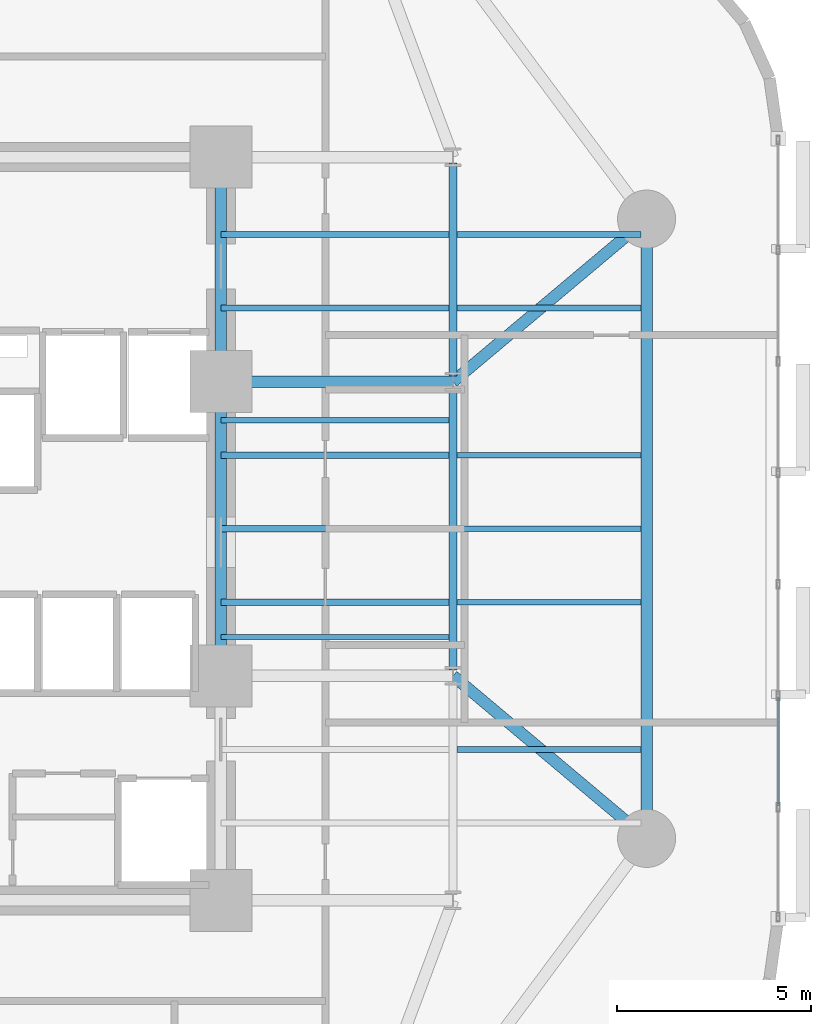
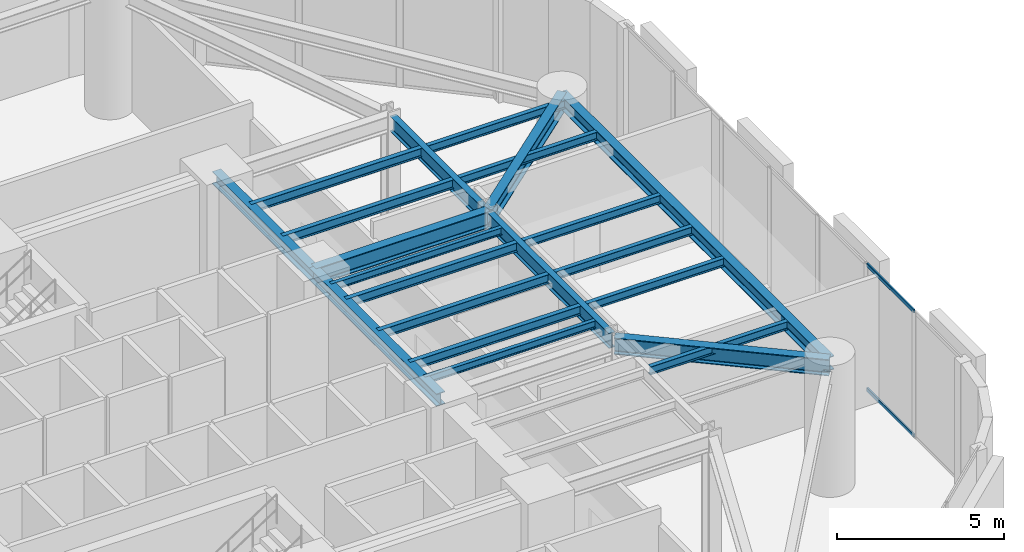
# One storey, part 4 of 13: 21 beams, 2 members, 1 element without a shape of its own.
"""IFC4 building model written with IfcOpenShell, lengths in metres."""

from ifc_helpers import new_model, si_unit, direction, frame, origin, origin_2d, place, context, subcontext, project, spatial, hollow_rectangle, i_section, extrude, material, layer, layer_set, material_profile, profile_set, type_object, element, aggregate, save


model = new_model("IFC4")

# Units and contexts
model_context = context("Model", 3, precision=1e-05, world=origin(), true_north=direction((0.0, 1.0)))
body_context = subcontext(model_context, "Body", "Model", "MODEL_VIEW")
ifc_project = project(units=[si_unit("LENGTHUNIT", "METRE"), si_unit("AREAUNIT", "SQUARE_METRE"), si_unit("VOLUMEUNIT", "CUBIC_METRE"), si_unit("PLANEANGLEUNIT", "RADIAN"), si_unit("MASSUNIT", "GRAM", prefix="KILO")], contexts=[model_context])

# Site, building, storey
site_placement = place(None, origin())
site = spatial("IfcSite", under=ifc_project, at=site_placement, CompositionType="ELEMENT")
building_placement = place(site_placement, origin())
building = spatial("IfcBuilding", under=site, at=building_placement, Name="An Khanh Terracotta Commons", CompositionType="ELEMENT")
storey_placement = place(building_placement, frame((0.0, 0.0, 24.0)))
storey = spatial("IfcBuildingStorey", under=building, at=storey_placement, Name="L06", CompositionType="ELEMENT", Elevation=24.0)

# Beams
ifc_material_1 = material(Name="Steel S355J2", Category="steel")
ifc_material_profile_1 = material_profile(ifc_material_1, i_section(OverallWidth=0.300048828125, OverallDepth=0.449951171875, WebThickness=0.013916015625, FlangeThickness=0.02587890625, FilletRadius=0.027099609375, at=origin_2d()), Name="HEB450")
ifc_profile_set_1 = profile_set([ifc_material_profile_1], Name="Steel S355J2")
beam_type_1 = type_object("IfcBeamType", Name="BM-HEB450", PredefinedType="BEAM", material=ifc_profile_set_1)
beam_1_placement = place(storey_placement, frame((37.199951171875, 20.199951171875, 4.375), z_axis=(0.0, 1.0, 0.0), x_axis=(-1.0, 0.0, 0.0)))
element("IfcBeam", 1, at=beam_1_placement, inside=storey, type_object=beam_type_1, Name="L06 Core East Coupling Girder 2", PredefinedType="BEAM", context=body_context, shape_type="SweptSolid", body=[
    extrude(i_section(OverallWidth=0.300048828125, OverallDepth=0.449951171875, WebThickness=0.013916015625, FlangeThickness=0.02587890625, FilletRadius=0.027099609375, at=origin_2d()), origin(), (0.0, 0.0, 1.0), 7.60009765625),
])
beam_2_placement = place(storey_placement, frame((37.199951171875, 27.800048828125, 4.375), z_axis=(0.0, 1.0, 0.0), x_axis=(-1.0, 0.0, 0.0)))
element("IfcBeam", 2, at=beam_2_placement, inside=storey, type_object=beam_type_1, Name="L06 Core East Coupling Girder 3", PredefinedType="BEAM", context=body_context, shape_type="SweptSolid", body=[
    extrude(i_section(OverallWidth=0.300048828125, OverallDepth=0.449951171875, WebThickness=0.013916015625, FlangeThickness=0.02587890625, FilletRadius=0.027099609375, at=origin_2d()), origin(), (0.0, 0.0, 1.0), 5.800048828125),
])
ifc_material_profile_2 = material_profile(ifc_material_1, i_section(OverallWidth=0.300048828125, OverallDepth=0.5, WebThickness=0.014404296875, FlangeThickness=0.028076171875, FilletRadius=0.027099609375, at=origin_2d()), Name="HEB500")
ifc_profile_set_2 = profile_set([ifc_material_profile_2], Name="Steel S355J2")
beam_type_2 = type_object("IfcBeamType", Name="BM-HEB500", PredefinedType="BEAM", material=ifc_profile_set_2)
beam_3_placement = place(storey_placement, frame((48.199951171875, 16.0, 4.35009765625), z_axis=(0.0, 1.0, 0.0), x_axis=(-1.0, 0.0, 0.0)))
element("IfcBeam", 3, at=beam_3_placement, inside=storey, type_object=beam_type_2, Name="L06 Perimeter Ring Spandrel 3", PredefinedType="BEAM", context=body_context, shape_type="SweptSolid", body=[
    extrude(i_section(OverallWidth=0.300048828125, OverallDepth=0.5, WebThickness=0.014404296875, FlangeThickness=0.028076171875, FilletRadius=0.027099609375, at=origin_2d()), origin(), (0.0, 0.0, 1.0), 16.0),
])
ifc_material_profile_3 = material_profile(ifc_material_1, i_section(OverallWidth=0.300048828125, OverallDepth=0.60009765625, WebThickness=0.015380859375, FlangeThickness=0.030029296875, FilletRadius=0.027099609375, at=origin_2d()), Name="HEB600")
ifc_profile_set_3 = profile_set([ifc_material_profile_3], Name="Steel S355J2")
beam_type_3 = type_object("IfcBeamType", Name="BM-HEB600", PredefinedType="BEAM", material=ifc_profile_set_3)
beam_4_placement = place(storey_placement, frame((37.199951171875, 27.800048828125, 4.300048828125), z_axis=(1.0, 0.0, 0.0), x_axis=(0.0, 1.0, 0.0)))
element("IfcBeam", 4, at=beam_4_placement, inside=storey, type_object=beam_type_3, Name="L06 East Primary Floor Girder 3", PredefinedType="BEAM", context=body_context, shape_type="SweptSolid", body=[
    extrude(i_section(OverallWidth=0.300048828125, OverallDepth=0.60009765625, WebThickness=0.015380859375, FlangeThickness=0.030029296875, FilletRadius=0.027099609375, at=origin_2d()), origin(), (0.0, 0.0, 1.0), 6.0),
])
for number, where, z_axis, x_axis, name in (
    (5, (48.199951171875, 16.0, 4.300048828125), (-0.765708547471, 0.643187702253, 0.0), (-0.643187702253, -0.765708547471, 0.0), "L06 Mega-Column Tie Girder 3"),
    (6, (48.199951171875, 32.0, 4.300048828125), (-0.765708547471, -0.643187702253, 0.0), (0.643187702253, -0.765708547471, 0.0), "L06 Mega-Column Tie Girder 4"),
):
    element("IfcBeam", number, at=place(storey_placement, frame(where, z_axis=z_axis, x_axis=x_axis)), inside=storey, type_object=beam_type_3, Name=name, PredefinedType="BEAM", context=body_context, shape_type="SweptSolid", body=[
        extrude(i_section(OverallWidth=0.300048828125, OverallDepth=0.60009765625, WebThickness=0.015380859375, FlangeThickness=0.030029296875, FilletRadius=0.027099609375, at=origin_2d()), origin(), (0.0, 0.0, 1.0), 6.52978515625),
    ])
ifc_material_profile_4 = material_profile(ifc_material_1, i_section(OverallWidth=0.135009765625, OverallDepth=0.27001953125, WebThickness=0.006591796875, FlangeThickness=0.01025390625, FilletRadius=0.014892578125, at=origin_2d()), Name="IPE270")
ifc_profile_set_4 = profile_set([ifc_material_profile_4], Name="Steel S355J2")
beam_type_4 = type_object("IfcBeamType", Name="BM-IPE270", PredefinedType="BEAM", material=ifc_profile_set_4)
for number, where, z_axis, x_axis, name in (
    (7, (37.199951171875, 21.199951171875, 4.465087890625), (1.0, 0.0, 0.0), (0.0, 1.0, 0.0), "L06 Sky-Lobby Trimmer Joist 1"),
    (8, (37.199951171875, 26.800048828125, 4.465087890625), (1.0, 0.0, 0.0), (0.0, 1.0, 0.0), "L06 Sky-Lobby Trimmer Joist 2"),
):
    element("IfcBeam", number, at=place(storey_placement, frame(where, z_axis=z_axis, x_axis=x_axis)), inside=storey, type_object=beam_type_4, Name=name, PredefinedType="BEAM", context=body_context, shape_type="SweptSolid", body=[
        extrude(i_section(OverallWidth=0.135009765625, OverallDepth=0.27001953125, WebThickness=0.006591796875, FlangeThickness=0.01025390625, FilletRadius=0.014892578125, at=origin_2d()), origin(), (0.0, 0.0, 1.0), 5.89501953125),
    ])
ifc_material_profile_5 = material_profile(ifc_material_1, i_section(OverallWidth=0.14990234375, OverallDepth=0.300048828125, WebThickness=0.007080078125, FlangeThickness=0.0107421875, FilletRadius=0.014892578125, at=origin_2d()), Name="IPE300")
ifc_profile_set_5 = profile_set([ifc_material_profile_5], Name="Steel S355J2")
beam_type_5 = type_object("IfcBeamType", Name="BM-IPE300", PredefinedType="JOIST", material=ifc_profile_set_5)
for number, where, z_axis, x_axis, name in (
    (9, (43.304931640625, 18.300048828125, 4.449951171875), (1.0, 0.0, 0.0), (0.0, 1.0, 0.0), "L06 Riverfront Composite Joist 2"),
    (10, (43.304931640625, 22.10009765625, 4.449951171875), (1.0, 0.0, 0.0), (0.0, 1.0, 0.0), "L06 Riverfront Composite Joist 3"),
    (11, (43.304931640625, 24.0, 4.449951171875), (1.0, 0.0, 0.0), (0.0, 1.0, 0.0), "L06 Riverfront Composite Joist 4"),
    (12, (43.304931640625, 25.89990234375, 4.449951171875), (1.0, 0.0, 0.0), (0.0, 1.0, 0.0), "L06 Riverfront Composite Joist 5"),
    (13, (43.304931640625, 29.699951171875, 4.449951171875), (1.0, 0.0, 0.0), (0.0, 1.0, 0.0), "L06 Riverfront Composite Joist 6"),
    (14, (43.304931640625, 31.60009765625, 4.449951171875), (1.0, 0.0, 0.0), (0.0, 1.0, 0.0), "L06 Riverfront Composite Joist 7"),
):
    element("IfcBeam", number, at=place(storey_placement, frame(where, z_axis=z_axis, x_axis=x_axis)), inside=storey, type_object=beam_type_5, Name=name, PredefinedType="JOIST", context=body_context, shape_type="SweptSolid", body=[
        extrude(i_section(OverallWidth=0.14990234375, OverallDepth=0.300048828125, WebThickness=0.007080078125, FlangeThickness=0.0107421875, FilletRadius=0.014892578125, at=origin_2d()), origin(), (0.0, 0.0, 1.0), 4.7451171875),
    ])
ifc_material_profile_6 = material_profile(ifc_material_1, i_section(OverallWidth=0.159912109375, OverallDepth=0.330078125, WebThickness=0.007568359375, FlangeThickness=0.011474609375, FilletRadius=0.01806640625, at=origin_2d()), Name="IPE330")
ifc_profile_set_6 = profile_set([ifc_material_profile_6], Name="Steel S355J2")
beam_type_6 = type_object("IfcBeamType", Name="BM-IPE330", PredefinedType="JOIST", material=ifc_profile_set_6)
for number, where, z_axis, x_axis, name in (
    (15, (37.199951171875, 22.10009765625, 4.43505859375), (1.0, 0.0, 0.0), (0.0, 1.0, 0.0), "L06 Inboard Composite Joist 3"),
    (16, (37.199951171875, 24.0, 4.43505859375), (1.0, 0.0, 0.0), (0.0, 1.0, 0.0), "L06 Inboard Composite Joist 4"),
    (17, (37.199951171875, 25.89990234375, 4.43505859375), (1.0, 0.0, 0.0), (0.0, 1.0, 0.0), "L06 Inboard Composite Joist 5"),
    (18, (37.199951171875, 29.699951171875, 4.43505859375), (1.0, 0.0, 0.0), (0.0, 1.0, 0.0), "L06 Inboard Composite Joist 6"),
    (19, (37.199951171875, 31.60009765625, 4.43505859375), (1.0, 0.0, 0.0), (0.0, 1.0, 0.0), "L06 Inboard Composite Joist 7"),
):
    element("IfcBeam", number, at=place(storey_placement, frame(where, z_axis=z_axis, x_axis=x_axis)), inside=storey, type_object=beam_type_6, Name=name, PredefinedType="JOIST", context=body_context, shape_type="SweptSolid", body=[
        extrude(i_section(OverallWidth=0.159912109375, OverallDepth=0.330078125, WebThickness=0.007568359375, FlangeThickness=0.011474609375, FilletRadius=0.01806640625, at=origin_2d()), origin(), (0.0, 0.0, 1.0), 5.89501953125),
    ])
ifc_material_profile_7 = material_profile(ifc_material_1, i_section(OverallWidth=0.2099609375, OverallDepth=0.550048828125, WebThickness=0.010986328125, FlangeThickness=0.01708984375, FilletRadius=0.02392578125, at=origin_2d()), Name="IPE550")
ifc_profile_set_7 = profile_set([ifc_material_profile_7], Name="Steel S355J2")
beam_type_7 = type_object("IfcBeamType", Name="BM-IPE550", PredefinedType="BEAM", material=ifc_profile_set_7)
beam_5_placement = place(storey_placement, frame((43.199951171875, 20.35009765625, 4.324951171875), z_axis=(0.0, 1.0, 0.0), x_axis=(-1.0, 0.0, 0.0)))
element("IfcBeam", 20, at=beam_5_placement, inside=storey, type_object=beam_type_7, Name="L06 East Spine Girder 2", PredefinedType="BEAM", context=body_context, shape_type="SweptSolid", body=[
    extrude(i_section(OverallWidth=0.2099609375, OverallDepth=0.550048828125, WebThickness=0.010986328125, FlangeThickness=0.01708984375, FilletRadius=0.02392578125, at=origin_2d()), origin(), (0.0, 0.0, 1.0), 7.2998046875),
])
beam_6_placement = place(storey_placement, frame((43.199951171875, 27.949951171875, 4.324951171875), z_axis=(0.0, 1.0, 0.0), x_axis=(-1.0, 0.0, 0.0)))
element("IfcBeam", 21, at=beam_6_placement, inside=storey, type_object=beam_type_7, Name="L06 East Spine Girder 3", PredefinedType="BEAM", context=body_context, shape_type="SweptSolid", body=[
    extrude(i_section(OverallWidth=0.2099609375, OverallDepth=0.550048828125, WebThickness=0.010986328125, FlangeThickness=0.01708984375, FilletRadius=0.02392578125, at=origin_2d()), origin(), (0.0, 0.0, 1.0), 5.5),
])

# Curtain wall, members
ifc_material_2 = material(Name="Anodised Aluminium 6063-T6", Category="aluminium")
ifc_layer = layer(ifc_material_2, 0.239990234375, Name="Anodised Aluminium 6063-T6")
ifc_layer_set = layer_set([ifc_layer], Name="Anodised Aluminium 6063-T6")
curtain_wall_type = type_object("IfcCurtainWallType", Name="CW-SYS-04", PredefinedType="USERDEFINED", material=ifc_layer_set)
curtain_wall_placement = place(storey_placement, origin())
curtain_wall = element("IfcCurtainWall", 22, at=curtain_wall_placement, inside=storey, type_object=curtain_wall_type, Name="L06 CW-04 Unitised Curtain Wall CW-L06-12", ObjectType="UNITISED CURTAIN WALL", PredefinedType="USERDEFINED")
ifc_material_profile_8 = material_profile(ifc_material_2, hollow_rectangle(XDim=0.06005859375, YDim=0.135009765625, WallThickness=0.003662109375, InnerFilletRadius=0.003662109375, OuterFilletRadius=0.007080078125, at=origin_2d()), Name="RHS135x60x3.6")
ifc_profile_set_8 = profile_set([ifc_material_profile_8], Name="Anodised Aluminium 6063-T6")
member_type = type_object("IfcMemberType", Name="CWT-RHS135x60x3.6", PredefinedType="USERDEFINED", material=ifc_profile_set_8)
member_1_placement = place(storey_placement, frame((51.60009765625, 16.842041015625, 0.030029296875), z_axis=(0.0, 1.0, 0.0), x_axis=(-1.0, 0.0, 0.0)))
member_1 = element("IfcMember", 23, at=member_1_placement, type_object=member_type, Name="CW-04 transom 2.1", ObjectType="TRANSOM", PredefinedType="USERDEFINED", context=body_context, shape_type="SweptSolid", body=[
    extrude(hollow_rectangle(XDim=0.06005859375, YDim=0.135009765625, WallThickness=0.003662109375, InnerFilletRadius=0.003662109375, OuterFilletRadius=0.007080078125, at=origin_2d()), origin(), (0.0, 0.0, 1.0), 2.79931640625),
])
member_2_placement = place(storey_placement, frame((51.60009765625, 16.842041015625, 4.570068359375), z_axis=(0.0, 1.0, 0.0), x_axis=(-1.0, 0.0, 0.0)))
member_2 = element("IfcMember", 24, at=member_2_placement, type_object=member_type, Name="CW-04 transom 2.2", ObjectType="TRANSOM", PredefinedType="USERDEFINED", context=body_context, shape_type="SweptSolid", body=[
    extrude(hollow_rectangle(XDim=0.06005859375, YDim=0.135009765625, WallThickness=0.003662109375, InnerFilletRadius=0.003662109375, OuterFilletRadius=0.007080078125, at=origin_2d()), origin(), (0.0, 0.0, 1.0), 2.79931640625),
])
aggregate(curtain_wall, [member_1, member_2])

save(model, "model.ifc")
